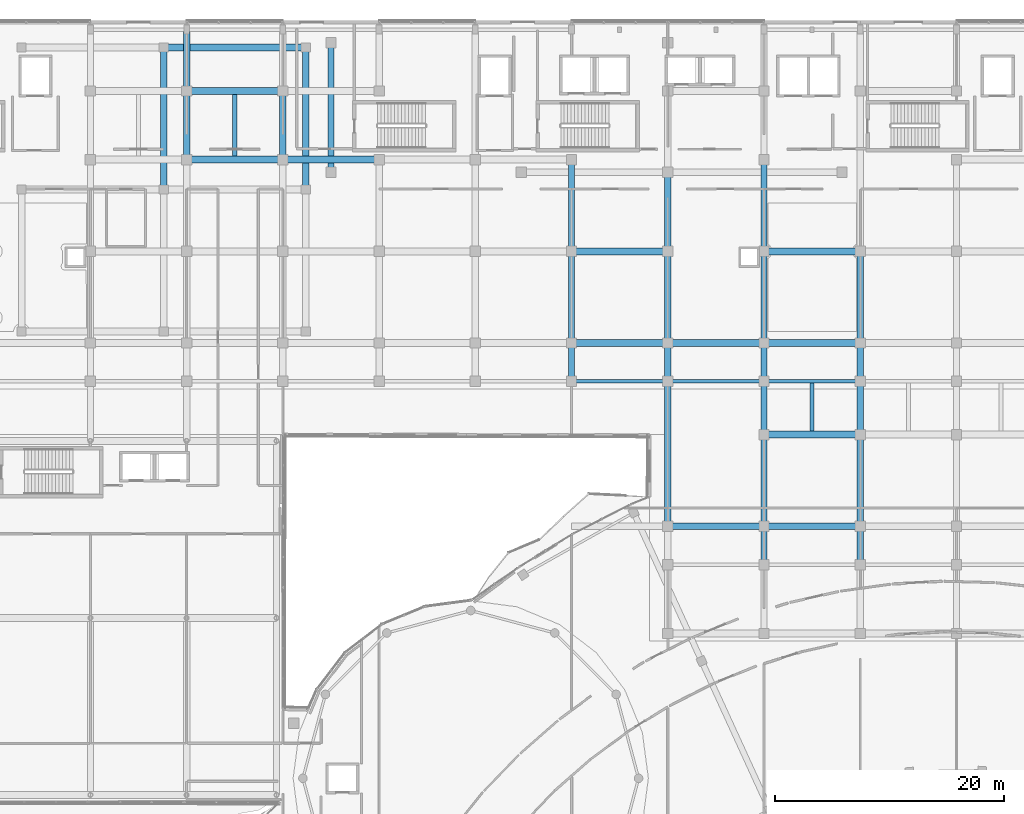
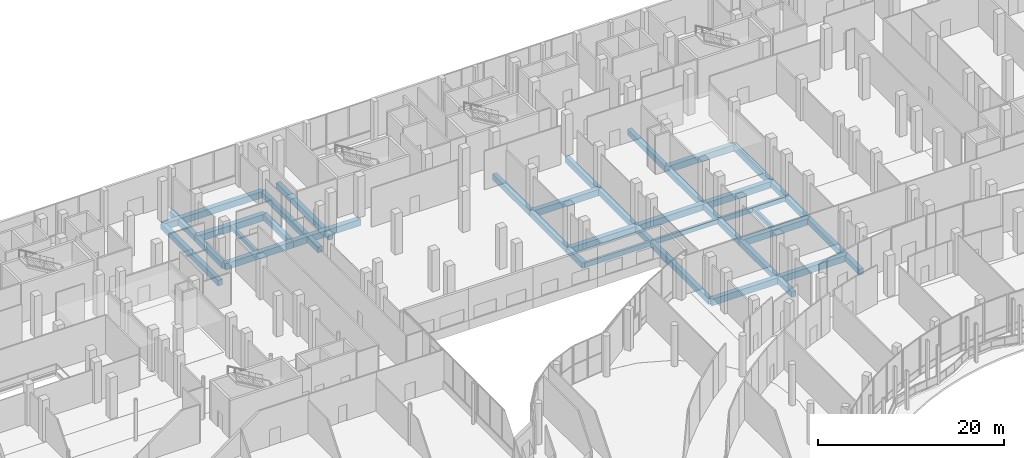
# One storey, part 86 of 158: 41 beams.
"""IFC4 building model written with IfcOpenShell, lengths in metres."""

from ifc_helpers import new_model, si_unit, direction, frame, origin, origin_2d, place, context, subcontext, project, spatial, rectangle, extrude, material, material_profile, profile_set, type_object, element, save


model = new_model("IFC4")

# Units and contexts
model_context = context("Model", 3, precision=1e-05, world=origin(), true_north=direction((0.0, 1.0)))
body_context = subcontext(model_context, "Body", "Model", "MODEL_VIEW")
ifc_project = project(units=[si_unit("LENGTHUNIT", "METRE"), si_unit("AREAUNIT", "SQUARE_METRE"), si_unit("VOLUMEUNIT", "CUBIC_METRE"), si_unit("PLANEANGLEUNIT", "RADIAN"), si_unit("MASSUNIT", "GRAM", prefix="KILO")], contexts=[model_context])

# Site, building, storey
site_placement = place(None, origin())
site = spatial("IfcSite", under=ifc_project, at=site_placement, CompositionType="ELEMENT")
building_placement = place(site_placement, origin())
building = spatial("IfcBuilding", under=site, at=building_placement, Name="Selatvlak General Hospital", CompositionType="ELEMENT")
storey_placement = place(building_placement, origin())
storey = spatial("IfcBuildingStorey", under=building, at=storey_placement, Name="L00", CompositionType="ELEMENT", Elevation=0.0)

# Beams
ifc_material = material(Name="Concrete C40/50", Category="concrete")
ifc_material_profile_1 = material_profile(ifc_material, rectangle(XDim=0.60009765625, YDim=0.85009765625, at=origin_2d()), Name="RC-BM 600x850")
ifc_profile_set_1 = profile_set([ifc_material_profile_1], Name="Concrete C40/50")
beam_type_1 = type_object("IfcBeamType", Name="BM-G01", PredefinedType="BEAM", material=ifc_profile_set_1)
beam_1_placement = place(storey_placement, frame((115.199951171875, 76.0, -0.77490234375), z_axis=(1.0, 0.0, 0.0), x_axis=(0.0, 1.0, 0.0)))
element("IfcBeam", 1, at=beam_1_placement, inside=storey, type_object=beam_type_1, Name="Beam BMR-L00-0035", PredefinedType="BEAM", context=body_context, shape_type="SweptSolid", body=[
    extrude(rectangle(XDim=0.60009765625, YDim=0.85009765625, at=origin_2d()), origin(), (0.0, 0.0, 1.0), 8.400146484375),
])
for number, where, z_axis, x_axis, name in (
    (2, (123.60009765625, 76.0, -0.77490234375), (1.0, 0.0, 0.0), (0.0, 1.0, 0.0), "Beam BMR-L00-0036"),
    (3, (123.60009765625, 84.0, -0.77490234375), (1.0, 0.0, 0.0), (0.0, 1.0, 0.0), "Beam BMR-L00-0050"),
    (4, (106.800048828125, 92.0, -0.77490234375), (1.0, 0.0, 0.0), (0.0, 1.0, 0.0), "Beam BMR-L00-0083"),
):
    element("IfcBeam", number, at=place(storey_placement, frame(where, z_axis=z_axis, x_axis=x_axis)), inside=storey, type_object=beam_type_1, Name=name, PredefinedType="BEAM", context=body_context, shape_type="SweptSolid", body=[
        extrude(rectangle(XDim=0.60009765625, YDim=0.85009765625, at=origin_2d()), origin(), (0.0, 0.0, 1.0), 8.39990234375),
    ])
beam_2_placement = place(storey_placement, frame((115.199951171875, 92.0, -0.77490234375), z_axis=(1.0, 0.0, 0.0), x_axis=(0.0, 1.0, 0.0)))
element("IfcBeam", 5, at=beam_2_placement, inside=storey, type_object=beam_type_1, Name="Beam BMR-L00-0084", PredefinedType="BEAM", context=body_context, shape_type="SweptSolid", body=[
    extrude(rectangle(XDim=0.60009765625, YDim=0.85009765625, at=origin_2d()), origin(), (0.0, 0.0, 1.0), 8.400146484375),
])
for number, where, z_axis, x_axis, name in (
    (6, (123.60009765625, 92.0, -0.77490234375), (1.0, 0.0, 0.0), (0.0, 1.0, 0.0), "Beam BMR-L00-0085"),
    (7, (106.800048828125, 100.0, -0.77490234375), (1.0, 0.0, 0.0), (0.0, 1.0, 0.0), "Beam BMR-L00-0105"),
    (8, (123.60009765625, 100.0, -0.77490234375), (1.0, 0.0, 0.0), (0.0, 1.0, 0.0), "Beam BMR-L00-0106"),
):
    element("IfcBeam", number, at=place(storey_placement, frame(where, z_axis=z_axis, x_axis=x_axis)), inside=storey, type_object=beam_type_1, Name=name, PredefinedType="BEAM", context=body_context, shape_type="SweptSolid", body=[
        extrude(rectangle(XDim=0.60009765625, YDim=0.85009765625, at=origin_2d()), origin(), (0.0, 0.0, 1.0), 8.39990234375),
    ])
beam_3_placement = place(storey_placement, frame((73.199951171875, 108.0, -0.77490234375), z_axis=(1.0, 0.0, 0.0), x_axis=(0.0, 1.0, 0.0)))
element("IfcBeam", 9, at=beam_3_placement, inside=storey, type_object=beam_type_1, Name="Beam BMR-L00-0123", PredefinedType="BEAM", context=body_context, shape_type="SweptSolid", body=[
    extrude(rectangle(XDim=0.60009765625, YDim=0.85009765625, at=origin_2d()), origin(), (0.0, 0.0, 1.0), 8.400146484375),
])
beam_4_placement = place(storey_placement, frame((81.60009765625, 108.0, -0.77490234375), z_axis=(1.0, 0.0, 0.0), x_axis=(0.0, 1.0, 0.0)))
element("IfcBeam", 10, at=beam_4_placement, inside=storey, type_object=beam_type_1, Name="Beam BMR-L00-0124", PredefinedType="BEAM", context=body_context, shape_type="SweptSolid", body=[
    extrude(rectangle(XDim=0.60009765625, YDim=0.85009765625, at=origin_2d()), origin(), (0.0, 0.0, 1.0), 8.39990234375),
])
beam_5_placement = place(storey_placement, frame((73.199951171875, 114.0, -0.77490234375), z_axis=(1.0, 0.0, 0.0), x_axis=(0.0, 1.0, 0.0)))
element("IfcBeam", 11, at=beam_5_placement, inside=storey, type_object=beam_type_1, Name="Beam BMR-L00-0138", PredefinedType="BEAM", context=body_context, shape_type="SweptSolid", body=[
    extrude(rectangle(XDim=0.60009765625, YDim=0.85009765625, at=origin_2d()), origin(), (0.0, 0.0, 1.0), 8.400146484375),
])
beam_6_placement = place(storey_placement, frame((71.199951171875, 117.800048828125, -0.77490234375), z_axis=(1.0, 0.0, 0.0), x_axis=(0.0, 1.0, 0.0)))
element("IfcBeam", 12, at=beam_6_placement, inside=storey, type_object=beam_type_1, Name="Beam BMR-L00-0147", PredefinedType="BEAM", context=body_context, shape_type="SweptSolid", body=[
    extrude(rectangle(XDim=0.60009765625, YDim=0.85009765625, at=origin_2d()), origin(), (0.0, 0.0, 1.0), 12.400146484375),
])
ifc_material_profile_2 = material_profile(ifc_material, rectangle(XDim=0.550048828125, YDim=0.75, at=origin_2d()), Name="RC-BM 550x750")
ifc_profile_set_2 = profile_set([ifc_material_profile_2], Name="Concrete C40/50")
beam_type_2 = type_object("IfcBeamType", Name="BM-G02", PredefinedType="BEAM", material=ifc_profile_set_2)
beam_7_placement = place(storey_placement, frame((71.199951171875, 105.39990234375, -0.72509765625), z_axis=(0.0, 1.0, 0.0), x_axis=(-1.0, 0.0, 0.0)))
element("IfcBeam", 13, at=beam_7_placement, inside=storey, type_object=beam_type_2, Name="Beam BMR-L00-0205", PredefinedType="BEAM", context=body_context, shape_type="SweptSolid", body=[
    extrude(rectangle(XDim=0.550048828125, YDim=0.75, at=origin_2d()), origin(), (0.0, 0.0, 1.0), 12.400146484375),
])
beam_8_placement = place(storey_placement, frame((73.199951171875, 108.0, -0.72509765625), z_axis=(0.0, 1.0, 0.0), x_axis=(-1.0, 0.0, 0.0)))
element("IfcBeam", 14, at=beam_8_placement, inside=storey, type_object=beam_type_2, Name="Beam BMR-L00-0211", PredefinedType="BEAM", context=body_context, shape_type="SweptSolid", body=[
    extrude(rectangle(XDim=0.550048828125, YDim=0.75, at=origin_2d()), origin(), (0.0, 0.0, 1.0), 6.0),
])
beam_9_placement = place(storey_placement, frame((73.199951171875, 114.0, -0.72509765625), z_axis=(0.0, 1.0, 0.0), x_axis=(-1.0, 0.0, 0.0)))
element("IfcBeam", 15, at=beam_9_placement, inside=storey, type_object=beam_type_2, Name="Beam BMR-L00-0212", PredefinedType="BEAM", context=body_context, shape_type="SweptSolid", body=[
    extrude(rectangle(XDim=0.550048828125, YDim=0.75, at=origin_2d()), origin(), (0.0, 0.0, 1.0), 5.35009765625),
])
beam_10_placement = place(storey_placement, frame((81.60009765625, 108.0, -0.72509765625), z_axis=(0.0, 1.0, 0.0), x_axis=(-1.0, 0.0, 0.0)))
element("IfcBeam", 16, at=beam_10_placement, inside=storey, type_object=beam_type_2, Name="Beam BMR-L00-0218", PredefinedType="BEAM", context=body_context, shape_type="SweptSolid", body=[
    extrude(rectangle(XDim=0.550048828125, YDim=0.75, at=origin_2d()), origin(), (0.0, 0.0, 1.0), 6.0),
])
beam_11_placement = place(storey_placement, frame((83.60009765625, 105.39990234375, -0.72509765625), z_axis=(0.0, 1.0, 0.0), x_axis=(-1.0, 0.0, 0.0)))
element("IfcBeam", 17, at=beam_11_placement, inside=storey, type_object=beam_type_2, Name="Beam BMR-L00-0221", PredefinedType="BEAM", context=body_context, shape_type="SweptSolid", body=[
    extrude(rectangle(XDim=0.550048828125, YDim=0.75, at=origin_2d()), origin(), (0.0, 0.0, 1.0), 12.400146484375),
])
beam_12_placement = place(storey_placement, frame((85.800048828125, 106.89990234375, -0.72509765625), z_axis=(0.0, 1.0, 0.0), x_axis=(-1.0, 0.0, 0.0)))
element("IfcBeam", 18, at=beam_12_placement, inside=storey, type_object=beam_type_2, Name="Beam BMR-L00-0222", PredefinedType="BEAM", context=body_context, shape_type="SweptSolid", body=[
    extrude(rectangle(XDim=0.550048828125, YDim=0.75, at=origin_2d()), origin(), (0.0, 0.0, 1.0), 11.300048828125),
])
beam_13_placement = place(storey_placement, frame((106.800048828125, 88.64990234375, -0.72509765625), z_axis=(0.0, 1.0, 0.0), x_axis=(-1.0, 0.0, 0.0)))
element("IfcBeam", 19, at=beam_13_placement, inside=storey, type_object=beam_type_2, Name="Beam BMR-L00-0231", PredefinedType="BEAM", context=body_context, shape_type="SweptSolid", body=[
    extrude(rectangle(XDim=0.550048828125, YDim=0.75, at=origin_2d()), origin(), (0.0, 0.0, 1.0), 3.35009765625),
])
for number, where, z_axis, x_axis, name in (
    (20, (106.800048828125, 92.0, -0.72509765625), (0.0, 1.0, 0.0), (-1.0, 0.0, 0.0), "Beam BMR-L00-0232"),
    (21, (106.800048828125, 100.0, -0.72509765625), (0.0, 1.0, 0.0), (-1.0, 0.0, 0.0), "Beam BMR-L00-0233"),
):
    element("IfcBeam", number, at=place(storey_placement, frame(where, z_axis=z_axis, x_axis=x_axis)), inside=storey, type_object=beam_type_2, Name=name, PredefinedType="BEAM", context=body_context, shape_type="SweptSolid", body=[
        extrude(rectangle(XDim=0.550048828125, YDim=0.75, at=origin_2d()), origin(), (0.0, 0.0, 1.0), 8.0),
    ])
beam_14_placement = place(storey_placement, frame((115.199951171875, 76.0, -0.72509765625), z_axis=(0.0, 1.0, 0.0), x_axis=(-1.0, 0.0, 0.0)))
element("IfcBeam", 22, at=beam_14_placement, inside=storey, type_object=beam_type_2, Name="Beam BMR-L00-0236", PredefinedType="BEAM", context=body_context, shape_type="SweptSolid", body=[
    extrude(rectangle(XDim=0.550048828125, YDim=0.75, at=origin_2d()), origin(), (0.0, 0.0, 1.0), 12.64990234375),
])
beam_15_placement = place(storey_placement, frame((115.199951171875, 88.64990234375, -0.72509765625), z_axis=(0.0, 1.0, 0.0), x_axis=(-1.0, 0.0, 0.0)))
element("IfcBeam", 23, at=beam_15_placement, inside=storey, type_object=beam_type_2, Name="Beam BMR-L00-0237", PredefinedType="BEAM", context=body_context, shape_type="SweptSolid", body=[
    extrude(rectangle(XDim=0.550048828125, YDim=0.75, at=origin_2d()), origin(), (0.0, 0.0, 1.0), 3.35009765625),
])
beam_16_placement = place(storey_placement, frame((115.199951171875, 92.0, -0.72509765625), z_axis=(0.0, 1.0, 0.0), x_axis=(-1.0, 0.0, 0.0)))
element("IfcBeam", 24, at=beam_16_placement, inside=storey, type_object=beam_type_2, Name="Beam BMR-L00-0238", PredefinedType="BEAM", context=body_context, shape_type="SweptSolid", body=[
    extrude(rectangle(XDim=0.550048828125, YDim=0.75, at=origin_2d()), origin(), (0.0, 0.0, 1.0), 8.0),
])
beam_17_placement = place(storey_placement, frame((115.199951171875, 100.0, -0.72509765625), z_axis=(0.0, 1.0, 0.0), x_axis=(-1.0, 0.0, 0.0)))
element("IfcBeam", 25, at=beam_17_placement, inside=storey, type_object=beam_type_2, Name="Beam BMR-L00-0239", PredefinedType="BEAM", context=body_context, shape_type="SweptSolid", body=[
    extrude(rectangle(XDim=0.550048828125, YDim=0.75, at=origin_2d()), origin(), (0.0, 0.0, 1.0), 6.89990234375),
])
beam_18_placement = place(storey_placement, frame((123.60009765625, 72.64990234375, -0.72509765625), z_axis=(0.0, 1.0, 0.0), x_axis=(-1.0, 0.0, 0.0)))
element("IfcBeam", 26, at=beam_18_placement, inside=storey, type_object=beam_type_2, Name="Beam BMR-L00-0242", PredefinedType="BEAM", context=body_context, shape_type="SweptSolid", body=[
    extrude(rectangle(XDim=0.550048828125, YDim=0.75, at=origin_2d()), origin(), (0.0, 0.0, 1.0), 3.35009765625),
])
beam_19_placement = place(storey_placement, frame((123.60009765625, 76.0, -0.72509765625), z_axis=(0.0, 1.0, 0.0), x_axis=(-1.0, 0.0, 0.0)))
element("IfcBeam", 27, at=beam_19_placement, inside=storey, type_object=beam_type_2, Name="Beam BMR-L00-0243", PredefinedType="BEAM", context=body_context, shape_type="SweptSolid", body=[
    extrude(rectangle(XDim=0.550048828125, YDim=0.75, at=origin_2d()), origin(), (0.0, 0.0, 1.0), 8.0),
])
beam_20_placement = place(storey_placement, frame((123.60009765625, 84.0, -0.72509765625), z_axis=(0.0, 1.0, 0.0), x_axis=(-1.0, 0.0, 0.0)))
element("IfcBeam", 28, at=beam_20_placement, inside=storey, type_object=beam_type_2, Name="Beam BMR-L00-0244", PredefinedType="BEAM", context=body_context, shape_type="SweptSolid", body=[
    extrude(rectangle(XDim=0.550048828125, YDim=0.75, at=origin_2d()), origin(), (0.0, 0.0, 1.0), 4.64990234375),
])
beam_21_placement = place(storey_placement, frame((123.60009765625, 88.64990234375, -0.72509765625), z_axis=(0.0, 1.0, 0.0), x_axis=(-1.0, 0.0, 0.0)))
element("IfcBeam", 29, at=beam_21_placement, inside=storey, type_object=beam_type_2, Name="Beam BMR-L00-0245", PredefinedType="BEAM", context=body_context, shape_type="SweptSolid", body=[
    extrude(rectangle(XDim=0.550048828125, YDim=0.75, at=origin_2d()), origin(), (0.0, 0.0, 1.0), 3.35009765625),
])
for number, where, z_axis, x_axis, name in (
    (30, (123.60009765625, 92.0, -0.72509765625), (0.0, 1.0, 0.0), (-1.0, 0.0, 0.0), "Beam BMR-L00-0246"),
    (31, (123.60009765625, 100.0, -0.72509765625), (0.0, 1.0, 0.0), (-1.0, 0.0, 0.0), "Beam BMR-L00-0247"),
):
    element("IfcBeam", number, at=place(storey_placement, frame(where, z_axis=z_axis, x_axis=x_axis)), inside=storey, type_object=beam_type_2, Name=name, PredefinedType="BEAM", context=body_context, shape_type="SweptSolid", body=[
        extrude(rectangle(XDim=0.550048828125, YDim=0.75, at=origin_2d()), origin(), (0.0, 0.0, 1.0), 8.0),
    ])
beam_22_placement = place(storey_placement, frame((132.0, 72.64990234375, -0.72509765625), z_axis=(0.0, 1.0, 0.0), x_axis=(-1.0, 0.0, 0.0)))
element("IfcBeam", 32, at=beam_22_placement, inside=storey, type_object=beam_type_2, Name="Beam BMR-L00-0251", PredefinedType="BEAM", context=body_context, shape_type="SweptSolid", body=[
    extrude(rectangle(XDim=0.550048828125, YDim=0.75, at=origin_2d()), origin(), (0.0, 0.0, 1.0), 3.35009765625),
])
beam_23_placement = place(storey_placement, frame((132.0, 76.0, -0.72509765625), z_axis=(0.0, 1.0, 0.0), x_axis=(-1.0, 0.0, 0.0)))
element("IfcBeam", 33, at=beam_23_placement, inside=storey, type_object=beam_type_2, Name="Beam BMR-L00-0252", PredefinedType="BEAM", context=body_context, shape_type="SweptSolid", body=[
    extrude(rectangle(XDim=0.550048828125, YDim=0.75, at=origin_2d()), origin(), (0.0, 0.0, 1.0), 8.0),
])
beam_24_placement = place(storey_placement, frame((132.0, 84.0, -0.72509765625), z_axis=(0.0, 1.0, 0.0), x_axis=(-1.0, 0.0, 0.0)))
element("IfcBeam", 34, at=beam_24_placement, inside=storey, type_object=beam_type_2, Name="Beam BMR-L00-0253", PredefinedType="BEAM", context=body_context, shape_type="SweptSolid", body=[
    extrude(rectangle(XDim=0.550048828125, YDim=0.75, at=origin_2d()), origin(), (0.0, 0.0, 1.0), 4.64990234375),
])
beam_25_placement = place(storey_placement, frame((132.0, 88.64990234375, -0.72509765625), z_axis=(0.0, 1.0, 0.0), x_axis=(-1.0, 0.0, 0.0)))
element("IfcBeam", 35, at=beam_25_placement, inside=storey, type_object=beam_type_2, Name="Beam BMR-L00-0254", PredefinedType="BEAM", context=body_context, shape_type="SweptSolid", body=[
    extrude(rectangle(XDim=0.550048828125, YDim=0.75, at=origin_2d()), origin(), (0.0, 0.0, 1.0), 3.35009765625),
])
beam_26_placement = place(storey_placement, frame((132.0, 92.0, -0.72509765625), z_axis=(0.0, 1.0, 0.0), x_axis=(-1.0, 0.0, 0.0)))
element("IfcBeam", 36, at=beam_26_placement, inside=storey, type_object=beam_type_2, Name="Beam BMR-L00-0255", PredefinedType="BEAM", context=body_context, shape_type="SweptSolid", body=[
    extrude(rectangle(XDim=0.550048828125, YDim=0.75, at=origin_2d()), origin(), (0.0, 0.0, 1.0), 8.0),
])
ifc_material_profile_3 = material_profile(ifc_material, rectangle(XDim=0.35009765625, YDim=0.550048828125, at=origin_2d()), Name="RC-BM 350x550")
ifc_profile_set_3 = profile_set([ifc_material_profile_3], Name="Concrete C40/50")
beam_type_3 = type_object("IfcBeamType", Name="BM-J01", PredefinedType="JOIST", material=ifc_profile_set_3)
beam_27_placement = place(storey_placement, frame((127.800048828125, 84.300048828125, -0.625), z_axis=(0.0, 1.0, 0.0), x_axis=(-1.0, 0.0, 0.0)))
element("IfcBeam", 37, at=beam_27_placement, inside=storey, type_object=beam_type_3, Name="Beam BMR-L00-0314", PredefinedType="JOIST", context=body_context, shape_type="SweptSolid", body=[
    extrude(rectangle(XDim=0.35009765625, YDim=0.550048828125, at=origin_2d()), origin(), (0.0, 0.0, 1.0), 4.199951171875),
])
beam_28_placement = place(storey_placement, frame((77.39990234375, 108.300048828125, -0.625), z_axis=(0.0, 1.0, 0.0), x_axis=(-1.0, 0.0, 0.0)))
element("IfcBeam", 38, at=beam_28_placement, inside=storey, type_object=beam_type_3, Name="Beam BMR-L00-0321", PredefinedType="JOIST", context=body_context, shape_type="SweptSolid", body=[
    extrude(rectangle(XDim=0.35009765625, YDim=0.550048828125, at=origin_2d()), origin(), (0.0, 0.0, 1.0), 5.39990234375),
])
ifc_material_profile_4 = material_profile(ifc_material, rectangle(XDim=0.300048828125, YDim=0.64990234375, at=origin_2d()), Name="RC-SP 300x650")
ifc_profile_set_4 = profile_set([ifc_material_profile_4], Name="Concrete C40/50")
beam_type_4 = type_object("IfcBeamType", Name="BM-SP1", PredefinedType="SPANDREL", material=ifc_profile_set_4)
beam_29_placement = place(storey_placement, frame((106.800048828125, 88.64990234375, -0.675048828125), z_axis=(1.0, 0.0, 0.0), x_axis=(0.0, 1.0, 0.0)))
element("IfcBeam", 39, at=beam_29_placement, inside=storey, type_object=beam_type_4, Name="Beam BMR-L00-0063", PredefinedType="SPANDREL", context=body_context, shape_type="SweptSolid", body=[
    extrude(rectangle(XDim=0.300048828125, YDim=0.64990234375, at=origin_2d()), origin(), (0.0, 0.0, 1.0), 8.39990234375),
])
beam_30_placement = place(storey_placement, frame((115.199951171875, 88.64990234375, -0.675048828125), z_axis=(1.0, 0.0, 0.0), x_axis=(0.0, 1.0, 0.0)))
element("IfcBeam", 40, at=beam_30_placement, inside=storey, type_object=beam_type_4, Name="Beam BMR-L00-0064", PredefinedType="SPANDREL", context=body_context, shape_type="SweptSolid", body=[
    extrude(rectangle(XDim=0.300048828125, YDim=0.64990234375, at=origin_2d()), origin(), (0.0, 0.0, 1.0), 8.400146484375),
])
beam_31_placement = place(storey_placement, frame((123.60009765625, 88.64990234375, -0.675048828125), z_axis=(1.0, 0.0, 0.0), x_axis=(0.0, 1.0, 0.0)))
element("IfcBeam", 41, at=beam_31_placement, inside=storey, type_object=beam_type_4, Name="Beam BMR-L00-0065", PredefinedType="SPANDREL", context=body_context, shape_type="SweptSolid", body=[
    extrude(rectangle(XDim=0.300048828125, YDim=0.64990234375, at=origin_2d()), origin(), (0.0, 0.0, 1.0), 8.39990234375),
])

save(model, "model.ifc")
